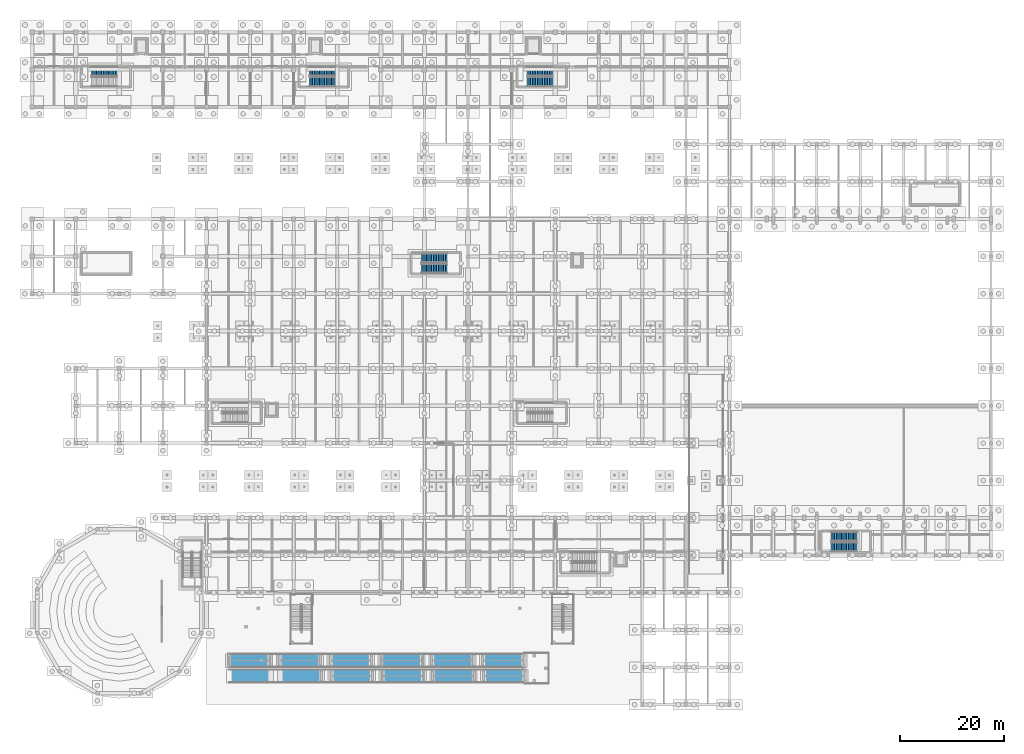
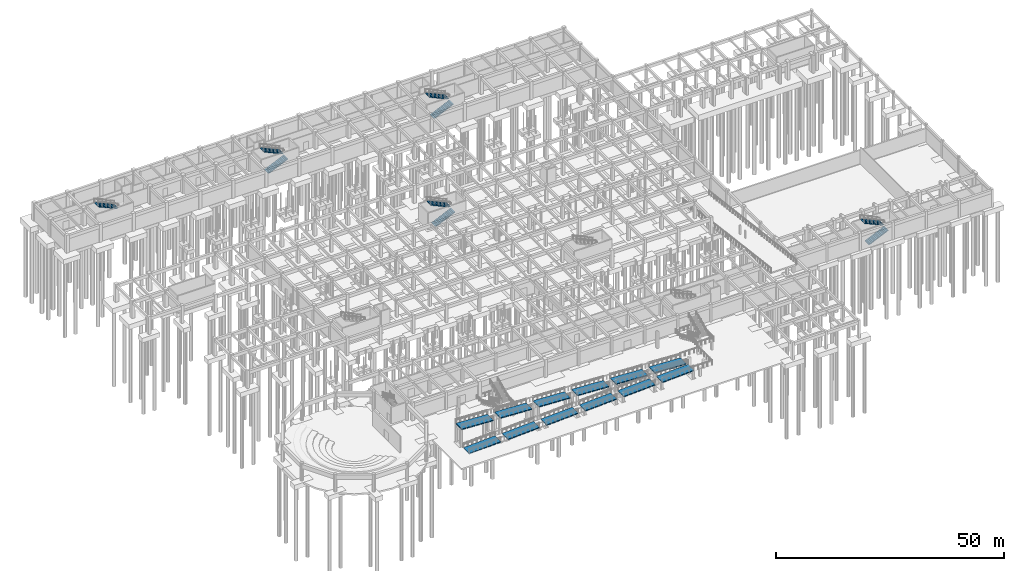
# One storey, part 66 of 80: 12 ramp flights, 9 stair flights, 7 elements without a shape of their own.
"""IFC4 building model written with IfcOpenShell, lengths in metres."""

from ifc_helpers import new_model, si_unit, direction, frame, origin, place, context, subcontext, project, spatial, polyline, outline, extrude, material, layer, layer_set, type_object, element, aggregate, save


model = new_model("IFC4")

# Units and contexts
model_context = context("Model", 3, precision=1e-05, world=origin(), true_north=direction((0.0, 1.0)))
body_context = subcontext(model_context, "Body", "Model", "MODEL_VIEW")
ifc_project = project(units=[si_unit("LENGTHUNIT", "METRE"), si_unit("AREAUNIT", "SQUARE_METRE"), si_unit("VOLUMEUNIT", "CUBIC_METRE"), si_unit("PLANEANGLEUNIT", "RADIAN"), si_unit("MASSUNIT", "GRAM", prefix="KILO")], contexts=[model_context])

# Site, building, storey
site_placement = place(None, origin())
site = spatial("IfcSite", under=ifc_project, at=site_placement, CompositionType="ELEMENT")
building_placement = place(site_placement, origin())
building = spatial("IfcBuilding", under=site, at=building_placement, Name="Malvenik Polytechnic", CompositionType="ELEMENT")
storey_placement = place(building_placement, frame((0.0, 0.0, -4.800048828125)))
storey = spatial("IfcBuildingStorey", under=building, at=storey_placement, Name="B1", CompositionType="ELEMENT", Elevation=-4.800048828125)

# Stair, stair flight
ifc_material = material(Name="Concrete C35/45", Category="concrete")
stair_type_1 = type_object("IfcStairType", Name="ARC-STR-ST-01", PredefinedType="HALF_TURN_STAIR", material=ifc_material)
stair_1_placement = place(storey_placement, origin())
stair_1 = element("IfcStair", 1, at=stair_1_placement, inside=storey, type_object=stair_type_1, Name="B1 Escape Stair ST-01", PredefinedType="HALF_TURN_STAIR")
ifc_layer_1 = layer(ifc_material, 0.159912109375)
ifc_layer_set_1 = layer_set([ifc_layer_1], Name="Concrete C35/45")
stair_flight_type_1 = type_object("IfcStairFlightType", Name="ARC-SFL-SFL-180A", PredefinedType="STRAIGHT", material=ifc_layer_set_1)
stair_flight_1_placement = place(storey_placement, frame((16.35009765625, 122.050048828125, 2.400146484375), z_axis=(0.0, 0.0, 1.0), x_axis=(-1.0, 0.0, 0.0)))
stair_flight_1 = element("IfcStairFlight", 2, at=stair_flight_1_placement, type_object=stair_flight_type_1, Name="ST-01 flight 2", NumberOfRisers=16, NumberOfTreads=15, PredefinedType="STRAIGHT", RiserHeight=0.15, TreadLength=0.33, context=body_context, shape_type="SweptSolid", body=[
    extrude(outline(polyline([(0.0, 0.0), (0.0, 0.14990234375), (0.330078125, 0.14990234375), (0.330078125, 0.300048828125), (0.659912109375, 0.300048828125), (0.659912109375, 0.449951171875), (0.989990234375, 0.449951171875), (0.989990234375, 0.60009765625), (1.320068359375, 0.60009765625), (1.320068359375, 0.75), (1.64990234375, 0.75), (1.64990234375, 0.89990234375), (1.97998046875, 0.89990234375), (1.97998046875, 1.050048828125), (2.31005859375, 1.050048828125), (2.31005859375, 1.199951171875), (2.639892578125, 1.199951171875), (2.639892578125, 1.35009765625), (2.969970703125, 1.35009765625), (2.969970703125, 1.5), (3.300048828125, 1.5), (3.300048828125, 1.64990234375), (3.6298828125, 1.64990234375), (3.6298828125, 1.800048828125), (3.9599609375, 1.800048828125), (3.9599609375, 1.949951171875), (4.2900390625, 1.949951171875), (4.2900390625, 2.10009765625), (4.6201171875, 2.10009765625), (4.6201171875, 2.25), (4.949951171875, 2.25), (4.949951171875, 2.39990234375), (4.949951171875, 2.074462890625), (0.386474609375, 0.0), (0.0, 0.0)])), frame((0.0, 0.89990234375, 0.0), z_axis=(0.0, -1.0, 0.0), x_axis=(1.0, 0.0, 0.0)), (0.0, 0.0, 1.0), 1.800048828125),
])
aggregate(stair_1, [stair_flight_1])

# Stair, stair flights
stair_type_2 = type_object("IfcStairType", Name="ARC-STR-ST-03", PredefinedType="HALF_TURN_STAIR", material=ifc_material)
stair_2_placement = place(storey_placement, origin())
stair_2 = element("IfcStair", 3, at=stair_2_placement, inside=storey, type_object=stair_type_2, Name="B1 Escape Stair ST-03", PredefinedType="HALF_TURN_STAIR")
stair_flight_2_placement = place(storey_placement, frame((95.39990234375, 120.050048828125, 0.0), z_axis=(0.0, 0.0, 1.0), x_axis=(1.0, 0.0, 0.0)))
stair_flight_2 = element("IfcStairFlight", 4, at=stair_flight_2_placement, type_object=stair_flight_type_1, Name="ST-03 flight 1", NumberOfRisers=16, NumberOfTreads=15, PredefinedType="STRAIGHT", RiserHeight=0.15, TreadLength=0.33, context=body_context, shape_type="SweptSolid", body=[
    extrude(outline(polyline([(0.0, 0.0), (0.0, 0.14990234375), (0.330078125, 0.14990234375), (0.330078125, 0.300048828125), (0.659912109375, 0.300048828125), (0.659912109375, 0.449951171875), (0.989990234375, 0.449951171875), (0.989990234375, 0.60009765625), (1.320068359375, 0.60009765625), (1.320068359375, 0.75), (1.64990234375, 0.75), (1.64990234375, 0.89990234375), (1.97998046875, 0.89990234375), (1.97998046875, 1.050048828125), (2.31005859375, 1.050048828125), (2.31005859375, 1.199951171875), (2.639892578125, 1.199951171875), (2.639892578125, 1.35009765625), (2.969970703125, 1.35009765625), (2.969970703125, 1.5), (3.300048828125, 1.5), (3.300048828125, 1.64990234375), (3.6298828125, 1.64990234375), (3.6298828125, 1.800048828125), (3.9599609375, 1.800048828125), (3.9599609375, 1.949951171875), (4.2900390625, 1.949951171875), (4.2900390625, 2.10009765625), (4.6201171875, 2.10009765625), (4.6201171875, 2.25), (4.949951171875, 2.25), (4.949951171875, 2.39990234375), (4.949951171875, 2.074462890625), (0.386474609375, 0.0), (0.0, 0.0)])), frame((0.0, 0.89990234375, 0.0), z_axis=(0.0, -1.0, 0.0), x_axis=(1.0, 0.0, 0.0)), (0.0, 0.0, 1.0), 1.800048828125),
])
stair_flight_3_placement = place(storey_placement, frame((100.35009765625, 122.050048828125, 2.400146484375), z_axis=(0.0, 0.0, 1.0), x_axis=(-1.0, 0.0, 0.0)))
stair_flight_3 = element("IfcStairFlight", 5, at=stair_flight_3_placement, type_object=stair_flight_type_1, Name="ST-03 flight 2", NumberOfRisers=16, NumberOfTreads=15, PredefinedType="STRAIGHT", RiserHeight=0.15, TreadLength=0.33, context=body_context, shape_type="SweptSolid", body=[
    extrude(outline(polyline([(0.0, 0.0), (0.0, 0.14990234375), (0.330078125, 0.14990234375), (0.330078125, 0.300048828125), (0.659912109375, 0.300048828125), (0.659912109375, 0.449951171875), (0.989990234375, 0.449951171875), (0.989990234375, 0.60009765625), (1.320068359375, 0.60009765625), (1.320068359375, 0.75), (1.64990234375, 0.75), (1.64990234375, 0.89990234375), (1.97998046875, 0.89990234375), (1.97998046875, 1.050048828125), (2.31005859375, 1.050048828125), (2.31005859375, 1.199951171875), (2.639892578125, 1.199951171875), (2.639892578125, 1.35009765625), (2.969970703125, 1.35009765625), (2.969970703125, 1.5), (3.300048828125, 1.5), (3.300048828125, 1.64990234375), (3.6298828125, 1.64990234375), (3.6298828125, 1.800048828125), (3.9599609375, 1.800048828125), (3.9599609375, 1.949951171875), (4.2900390625, 1.949951171875), (4.2900390625, 2.10009765625), (4.6201171875, 2.10009765625), (4.6201171875, 2.25), (4.949951171875, 2.25), (4.949951171875, 2.39990234375), (4.949951171875, 2.074462890625), (0.386474609375, 0.0), (0.0, 0.0)])), frame((0.0, 0.89990234375, 0.0), z_axis=(0.0, -1.0, 0.0), x_axis=(1.0, 0.0, 0.0)), (0.0, 0.0, 1.0), 1.800048828125),
])
aggregate(stair_2, [stair_flight_2, stair_flight_3])

stair_type_3 = type_object("IfcStairType", Name="ARC-STR-ST-05", PredefinedType="HALF_TURN_STAIR", material=ifc_material)
stair_3_placement = place(storey_placement, origin())
stair_3 = element("IfcStair", 6, at=stair_3_placement, inside=storey, type_object=stair_type_3, Name="B1 Escape Stair ST-05", PredefinedType="HALF_TURN_STAIR")
stair_flight_4_placement = place(storey_placement, frame((75.0, 84.050048828125, 0.0), z_axis=(0.0, 0.0, 1.0), x_axis=(1.0, 0.0, 0.0)))
stair_flight_4 = element("IfcStairFlight", 7, at=stair_flight_4_placement, type_object=stair_flight_type_1, Name="ST-05 flight 1", NumberOfRisers=16, NumberOfTreads=15, PredefinedType="STRAIGHT", RiserHeight=0.15, TreadLength=0.33, context=body_context, shape_type="SweptSolid", body=[
    extrude(outline(polyline([(0.0, 0.0), (0.0, 0.14990234375), (0.330078125, 0.14990234375), (0.330078125, 0.300048828125), (0.659912109375, 0.300048828125), (0.659912109375, 0.449951171875), (0.989990234375, 0.449951171875), (0.989990234375, 0.60009765625), (1.320068359375, 0.60009765625), (1.320068359375, 0.75), (1.64990234375, 0.75), (1.64990234375, 0.89990234375), (1.97998046875, 0.89990234375), (1.97998046875, 1.050048828125), (2.31005859375, 1.050048828125), (2.31005859375, 1.199951171875), (2.639892578125, 1.199951171875), (2.639892578125, 1.35009765625), (2.969970703125, 1.35009765625), (2.969970703125, 1.5), (3.300048828125, 1.5), (3.300048828125, 1.64990234375), (3.6298828125, 1.64990234375), (3.6298828125, 1.800048828125), (3.9599609375, 1.800048828125), (3.9599609375, 1.949951171875), (4.2900390625, 1.949951171875), (4.2900390625, 2.10009765625), (4.6201171875, 2.10009765625), (4.6201171875, 2.25), (4.949951171875, 2.25), (4.949951171875, 2.39990234375), (4.949951171875, 2.074462890625), (0.386474609375, 0.0), (0.0, 0.0)])), frame((0.0, 0.89990234375, 0.0), z_axis=(0.0, -1.0, 0.0), x_axis=(1.0, 0.0, 0.0)), (0.0, 0.0, 1.0), 1.800048828125),
])
stair_flight_5_placement = place(storey_placement, frame((79.949951171875, 86.050048828125, 2.400146484375), z_axis=(0.0, 0.0, 1.0), x_axis=(-1.0, 0.0, 0.0)))
stair_flight_5 = element("IfcStairFlight", 8, at=stair_flight_5_placement, type_object=stair_flight_type_1, Name="ST-05 flight 2", NumberOfRisers=16, NumberOfTreads=15, PredefinedType="STRAIGHT", RiserHeight=0.15, TreadLength=0.33, context=body_context, shape_type="SweptSolid", body=[
    extrude(outline(polyline([(0.0, 0.0), (0.0, 0.14990234375), (0.330078125, 0.14990234375), (0.330078125, 0.300048828125), (0.659912109375, 0.300048828125), (0.659912109375, 0.449951171875), (0.989990234375, 0.449951171875), (0.989990234375, 0.60009765625), (1.320068359375, 0.60009765625), (1.320068359375, 0.75), (1.64990234375, 0.75), (1.64990234375, 0.89990234375), (1.97998046875, 0.89990234375), (1.97998046875, 1.050048828125), (2.31005859375, 1.050048828125), (2.31005859375, 1.199951171875), (2.639892578125, 1.199951171875), (2.639892578125, 1.35009765625), (2.969970703125, 1.35009765625), (2.969970703125, 1.5), (3.300048828125, 1.5), (3.300048828125, 1.64990234375), (3.6298828125, 1.64990234375), (3.6298828125, 1.800048828125), (3.9599609375, 1.800048828125), (3.9599609375, 1.949951171875), (4.2900390625, 1.949951171875), (4.2900390625, 2.10009765625), (4.6201171875, 2.10009765625), (4.6201171875, 2.25), (4.949951171875, 2.25), (4.949951171875, 2.39990234375), (4.949951171875, 2.074462890625), (0.386474609375, 0.0), (0.0, 0.0)])), frame((0.0, 0.89990234375, 0.0), z_axis=(0.0, -1.0, 0.0), x_axis=(1.0, 0.0, 0.0)), (0.0, 0.0, 1.0), 1.800048828125),
])
aggregate(stair_3, [stair_flight_4, stair_flight_5])

stair_type_4 = type_object("IfcStairType", Name="ARC-STR-ST-13", PredefinedType="HALF_TURN_STAIR", material=ifc_material)
stair_4_placement = place(storey_placement, origin())
stair_4 = element("IfcStair", 9, at=stair_4_placement, inside=storey, type_object=stair_type_4, Name="B1 Escape Stair ST-13", PredefinedType="HALF_TURN_STAIR")
stair_flight_6_placement = place(storey_placement, frame((154.0, 30.39990234375, 0.0), z_axis=(0.0, 0.0, 1.0), x_axis=(1.0, 0.0, 0.0)))
stair_flight_6 = element("IfcStairFlight", 10, at=stair_flight_6_placement, type_object=stair_flight_type_1, Name="ST-13 flight 1", NumberOfRisers=16, NumberOfTreads=15, PredefinedType="STRAIGHT", RiserHeight=0.15, TreadLength=0.33, context=body_context, shape_type="SweptSolid", body=[
    extrude(outline(polyline([(0.0, 0.0), (0.0, 0.14990234375), (0.330078125, 0.14990234375), (0.330078125, 0.300048828125), (0.659912109375, 0.300048828125), (0.659912109375, 0.449951171875), (0.989990234375, 0.449951171875), (0.989990234375, 0.60009765625), (1.320068359375, 0.60009765625), (1.320068359375, 0.75), (1.64990234375, 0.75), (1.64990234375, 0.89990234375), (1.97998046875, 0.89990234375), (1.97998046875, 1.050048828125), (2.31005859375, 1.050048828125), (2.31005859375, 1.199951171875), (2.639892578125, 1.199951171875), (2.639892578125, 1.35009765625), (2.969970703125, 1.35009765625), (2.969970703125, 1.5), (3.300048828125, 1.5), (3.300048828125, 1.64990234375), (3.6298828125, 1.64990234375), (3.6298828125, 1.800048828125), (3.9599609375, 1.800048828125), (3.9599609375, 1.949951171875), (4.2900390625, 1.949951171875), (4.2900390625, 2.10009765625), (4.6201171875, 2.10009765625), (4.6201171875, 2.25), (4.949951171875, 2.25), (4.949951171875, 2.39990234375), (4.949951171875, 2.074462890625), (0.386474609375, 0.0), (0.0, 0.0)])), frame((0.0, 0.89990234375, 0.0), z_axis=(0.0, -1.0, 0.0), x_axis=(1.0, 0.0, 0.0)), (0.0, 0.0, 1.0), 1.800048828125),
])
stair_flight_7_placement = place(storey_placement, frame((158.949951171875, 32.39990234375, 2.400146484375), z_axis=(0.0, 0.0, 1.0), x_axis=(-1.0, 0.0, 0.0)))
stair_flight_7 = element("IfcStairFlight", 11, at=stair_flight_7_placement, type_object=stair_flight_type_1, Name="ST-13 flight 2", NumberOfRisers=16, NumberOfTreads=15, PredefinedType="STRAIGHT", RiserHeight=0.15, TreadLength=0.33, context=body_context, shape_type="SweptSolid", body=[
    extrude(outline(polyline([(0.0, 0.0), (0.0, 0.14990234375), (0.330078125, 0.14990234375), (0.330078125, 0.300048828125), (0.659912109375, 0.300048828125), (0.659912109375, 0.449951171875), (0.989990234375, 0.449951171875), (0.989990234375, 0.60009765625), (1.320068359375, 0.60009765625), (1.320068359375, 0.75), (1.64990234375, 0.75), (1.64990234375, 0.89990234375), (1.97998046875, 0.89990234375), (1.97998046875, 1.050048828125), (2.31005859375, 1.050048828125), (2.31005859375, 1.199951171875), (2.639892578125, 1.199951171875), (2.639892578125, 1.35009765625), (2.969970703125, 1.35009765625), (2.969970703125, 1.5), (3.300048828125, 1.5), (3.300048828125, 1.64990234375), (3.6298828125, 1.64990234375), (3.6298828125, 1.800048828125), (3.9599609375, 1.800048828125), (3.9599609375, 1.949951171875), (4.2900390625, 1.949951171875), (4.2900390625, 2.10009765625), (4.6201171875, 2.10009765625), (4.6201171875, 2.25), (4.949951171875, 2.25), (4.949951171875, 2.39990234375), (4.949951171875, 2.074462890625), (0.386474609375, 0.0), (0.0, 0.0)])), frame((0.0, 0.89990234375, 0.0), z_axis=(0.0, -1.0, 0.0), x_axis=(1.0, 0.0, 0.0)), (0.0, 0.0, 1.0), 1.800048828125),
])
aggregate(stair_4, [stair_flight_6, stair_flight_7])

stair_type_5 = type_object("IfcStairType", Name="ARC-STR-ST-02", PredefinedType="HALF_TURN_STAIR", material=ifc_material)
stair_5_placement = place(storey_placement, origin())
stair_5 = element("IfcStair", 12, at=stair_5_placement, inside=storey, type_object=stair_type_5, Name="B1 Escape Stair ST-02", PredefinedType="HALF_TURN_STAIR")
ifc_layer_2 = layer(ifc_material, 0.179931640625)
ifc_layer_set_2 = layer_set([ifc_layer_2], Name="Concrete C35/45")
stair_flight_type_2 = type_object("IfcStairFlightType", Name="ARC-SFL-SFL-180B", PredefinedType="STRAIGHT", material=ifc_layer_set_2)
stair_flight_8_placement = place(storey_placement, frame((53.39990234375, 120.050048828125, 0.0), z_axis=(0.0, 0.0, 1.0), x_axis=(1.0, 0.0, 0.0)))
stair_flight_8 = element("IfcStairFlight", 13, at=stair_flight_8_placement, type_object=stair_flight_type_2, Name="ST-02 flight 1", NumberOfRisers=16, NumberOfTreads=15, PredefinedType="STRAIGHT", RiserHeight=0.15, TreadLength=0.33, context=body_context, shape_type="SweptSolid", body=[
    extrude(outline(polyline([(0.0, 0.0), (0.0, 0.14990234375), (0.330078125, 0.14990234375), (0.330078125, 0.300048828125), (0.659912109375, 0.300048828125), (0.659912109375, 0.449951171875), (0.989990234375, 0.449951171875), (0.989990234375, 0.60009765625), (1.320068359375, 0.60009765625), (1.320068359375, 0.75), (1.64990234375, 0.75), (1.64990234375, 0.89990234375), (1.97998046875, 0.89990234375), (1.97998046875, 1.050048828125), (2.31005859375, 1.050048828125), (2.31005859375, 1.199951171875), (2.639892578125, 1.199951171875), (2.639892578125, 1.35009765625), (2.969970703125, 1.35009765625), (2.969970703125, 1.5), (3.300048828125, 1.5), (3.300048828125, 1.64990234375), (3.6298828125, 1.64990234375), (3.6298828125, 1.800048828125), (3.9599609375, 1.800048828125), (3.9599609375, 1.949951171875), (4.2900390625, 1.949951171875), (4.2900390625, 2.10009765625), (4.6201171875, 2.10009765625), (4.6201171875, 2.25), (4.949951171875, 2.25), (4.949951171875, 2.39990234375), (4.949951171875, 2.074462890625), (0.386474609375, 0.0), (0.0, 0.0)])), frame((0.0, 0.89990234375, 0.0), z_axis=(0.0, -1.0, 0.0), x_axis=(1.0, 0.0, 0.0)), (0.0, 0.0, 1.0), 1.800048828125),
])
stair_flight_9_placement = place(storey_placement, frame((58.35009765625, 122.050048828125, 2.400146484375), z_axis=(0.0, 0.0, 1.0), x_axis=(-1.0, 0.0, 0.0)))
stair_flight_9 = element("IfcStairFlight", 14, at=stair_flight_9_placement, type_object=stair_flight_type_2, Name="ST-02 flight 2", NumberOfRisers=16, NumberOfTreads=15, PredefinedType="STRAIGHT", RiserHeight=0.15, TreadLength=0.33, context=body_context, shape_type="SweptSolid", body=[
    extrude(outline(polyline([(0.0, 0.0), (0.0, 0.14990234375), (0.330078125, 0.14990234375), (0.330078125, 0.300048828125), (0.659912109375, 0.300048828125), (0.659912109375, 0.449951171875), (0.989990234375, 0.449951171875), (0.989990234375, 0.60009765625), (1.320068359375, 0.60009765625), (1.320068359375, 0.75), (1.64990234375, 0.75), (1.64990234375, 0.89990234375), (1.97998046875, 0.89990234375), (1.97998046875, 1.050048828125), (2.31005859375, 1.050048828125), (2.31005859375, 1.199951171875), (2.639892578125, 1.199951171875), (2.639892578125, 1.35009765625), (2.969970703125, 1.35009765625), (2.969970703125, 1.5), (3.300048828125, 1.5), (3.300048828125, 1.64990234375), (3.6298828125, 1.64990234375), (3.6298828125, 1.800048828125), (3.9599609375, 1.800048828125), (3.9599609375, 1.949951171875), (4.2900390625, 1.949951171875), (4.2900390625, 2.10009765625), (4.6201171875, 2.10009765625), (4.6201171875, 2.25), (4.949951171875, 2.25), (4.949951171875, 2.39990234375), (4.949951171875, 2.074462890625), (0.386474609375, 0.0), (0.0, 0.0)])), frame((0.0, 0.89990234375, 0.0), z_axis=(0.0, -1.0, 0.0), x_axis=(1.0, 0.0, 0.0)), (0.0, 0.0, 1.0), 1.800048828125),
])
aggregate(stair_5, [stair_flight_8, stair_flight_9])

# Ramp, ramp flights
ramp_type = type_object("IfcRampType", Name="ARC-RMP-PED", PredefinedType="STRAIGHT_RUN_RAMP", material=ifc_material)
ramp_1_placement = place(storey_placement, origin())
ramp_1 = element("IfcRamp", 15, at=ramp_1_placement, inside=storey, type_object=ramp_type, Name="Accessible Pedestrian Ramp RB-04", PredefinedType="STRAIGHT_RUN_RAMP")
ifc_layer_3 = layer(ifc_material, 0.25)
ifc_layer_set_3 = layer_set([ifc_layer_3], Name="Concrete C35/45")
ramp_flight_type = type_object("IfcRampFlightType", Name="ARC-RFL-PED", PredefinedType="STRAIGHT", material=ifc_layer_set_3)
ramp_flight_1_placement = place(storey_placement, frame((38.0, 5.5, 0.0), z_axis=(0.0, 0.0, 1.0), x_axis=(1.0, 0.0, 0.0)))
ramp_flight_1 = element("IfcRampFlight", 16, at=ramp_flight_1_placement, type_object=ramp_flight_type, Name="Ramp Flight RB-04 #1", PredefinedType="STRAIGHT", context=body_context, shape_type="SweptSolid", body=[
    extrude(outline(polyline([(0.0, -0.25), (8.0, 0.150146484375), (8.0, 0.400146484375), (0.0, 0.0), (0.0, -0.25)])), frame((0.0, 1.300048828125, 0.0), z_axis=(0.0, -1.0, 0.0), x_axis=(1.0, 0.0, 0.0)), (0.0, 0.0, 1.0), 2.60009765625),
])
ramp_flight_2_placement = place(storey_placement, frame((47.800048828125, 5.5, 0.400146484375), z_axis=(0.0, 0.0, 1.0), x_axis=(1.0, 0.0, 0.0)))
ramp_flight_2 = element("IfcRampFlight", 17, at=ramp_flight_2_placement, type_object=ramp_flight_type, Name="Ramp Flight RB-04 #2", PredefinedType="STRAIGHT", context=body_context, shape_type="SweptSolid", body=[
    extrude(outline(polyline([(0.0, -0.25), (8.0, 0.14990234375), (8.0, 0.39990234375), (0.0, 0.0), (0.0, -0.25)])), frame((0.0, 1.300048828125, 0.0), z_axis=(0.0, -1.0, 0.0), x_axis=(1.0, 0.0, 0.0)), (0.0, 0.0, 1.0), 2.60009765625),
])
ramp_flight_3_placement = place(storey_placement, frame((57.60009765625, 5.5, 0.800048828125), z_axis=(0.0, 0.0, 1.0), x_axis=(1.0, 0.0, 0.0)))
ramp_flight_3 = element("IfcRampFlight", 18, at=ramp_flight_3_placement, type_object=ramp_flight_type, Name="Ramp Flight RB-04 #3", PredefinedType="STRAIGHT", context=body_context, shape_type="SweptSolid", body=[
    extrude(outline(polyline([(0.0, -0.25), (8.0, 0.14990234375), (8.0, 0.39990234375), (0.0, 0.0), (0.0, -0.25)])), frame((0.0, 1.300048828125, 0.0), z_axis=(0.0, -1.0, 0.0), x_axis=(1.0, 0.0, 0.0)), (0.0, 0.0, 1.0), 2.60009765625),
])
ramp_flight_4_placement = place(storey_placement, frame((67.39990234375, 5.5, 1.199951171875), z_axis=(0.0, 0.0, 1.0), x_axis=(1.0, 0.0, 0.0)))
ramp_flight_4 = element("IfcRampFlight", 19, at=ramp_flight_4_placement, type_object=ramp_flight_type, Name="Ramp Flight RB-04 #4", PredefinedType="STRAIGHT", context=body_context, shape_type="SweptSolid", body=[
    extrude(outline(polyline([(0.0, -0.25), (8.0, 0.150146484375), (8.0, 0.400146484375), (0.0, 0.0), (0.0, -0.25)])), frame((0.0, 1.300048828125, 0.0), z_axis=(0.0, -1.0, 0.0), x_axis=(1.0, 0.0, 0.0)), (0.0, 0.0, 1.0), 2.60009765625),
])
ramp_flight_5_placement = place(storey_placement, frame((77.199951171875, 5.5, 1.60009765625), z_axis=(0.0, 0.0, 1.0), x_axis=(1.0, 0.0, 0.0)))
ramp_flight_5 = element("IfcRampFlight", 20, at=ramp_flight_5_placement, type_object=ramp_flight_type, Name="Ramp Flight RB-04 #5", PredefinedType="STRAIGHT", context=body_context, shape_type="SweptSolid", body=[
    extrude(outline(polyline([(0.0, -0.25), (8.0, 0.14990234375), (8.0, 0.39990234375), (0.0, 0.0), (0.0, -0.25)])), frame((0.0, 1.300048828125, 0.0), z_axis=(0.0, -1.0, 0.0), x_axis=(1.0, 0.0, 0.0)), (0.0, 0.0, 1.0), 2.60009765625),
])
ramp_flight_6_placement = place(storey_placement, frame((87.0, 5.5, 2.0), z_axis=(0.0, 0.0, 1.0), x_axis=(1.0, 0.0, 0.0)))
ramp_flight_6 = element("IfcRampFlight", 21, at=ramp_flight_6_placement, type_object=ramp_flight_type, Name="Ramp Flight RB-04 #6", PredefinedType="STRAIGHT", context=body_context, shape_type="SweptSolid", body=[
    extrude(outline(polyline([(0.0, -0.25), (8.0, 0.150146484375), (8.0, 0.400146484375), (0.0, 0.0), (0.0, -0.25)])), frame((0.0, 1.300048828125, 0.0), z_axis=(0.0, -1.0, 0.0), x_axis=(1.0, 0.0, 0.0)), (0.0, 0.0, 1.0), 2.60009765625),
])
aggregate(ramp_1, [ramp_flight_1, ramp_flight_2, ramp_flight_3, ramp_flight_4, ramp_flight_5, ramp_flight_6])

ramp_2_placement = place(storey_placement, origin())
ramp_2 = element("IfcRamp", 22, at=ramp_2_placement, inside=storey, type_object=ramp_type, Name="Accessible Pedestrian Ramp RB-05", PredefinedType="STRAIGHT_RUN_RAMP")
ramp_flight_7_placement = place(storey_placement, frame((94.800048828125, 8.5, 2.400146484375), z_axis=(0.0, 0.0, 1.0), x_axis=(-1.0, 0.0, 0.0)))
ramp_flight_7 = element("IfcRampFlight", 23, at=ramp_flight_7_placement, type_object=ramp_flight_type, Name="Ramp Flight RB-05 #1", PredefinedType="STRAIGHT", context=body_context, shape_type="SweptSolid", body=[
    extrude(outline(polyline([(0.0, -0.25), (8.0, 0.14990234375), (8.0, 0.39990234375), (0.0, 0.0), (0.0, -0.25)])), frame((0.0, 1.300048828125, 0.0), z_axis=(0.0, -1.0, 0.0), x_axis=(1.0, 0.0, 0.0)), (0.0, 0.0, 1.0), 2.60009765625),
])
ramp_flight_8_placement = place(storey_placement, frame((85.0, 8.5, 2.800048828125), z_axis=(0.0, 0.0, 1.0), x_axis=(-1.0, 0.0, 0.0)))
ramp_flight_8 = element("IfcRampFlight", 24, at=ramp_flight_8_placement, type_object=ramp_flight_type, Name="Ramp Flight RB-05 #2", PredefinedType="STRAIGHT", context=body_context, shape_type="SweptSolid", body=[
    extrude(outline(polyline([(0.0, -0.25), (8.0, 0.14990234375), (8.0, 0.39990234375), (0.0, 0.0), (0.0, -0.25)])), frame((0.0, 1.300048828125, 0.0), z_axis=(0.0, -1.0, 0.0), x_axis=(1.0, 0.0, 0.0)), (0.0, 0.0, 1.0), 2.60009765625),
])
ramp_flight_9_placement = place(storey_placement, frame((75.199951171875, 8.5, 3.199951171875), z_axis=(0.0, 0.0, 1.0), x_axis=(-1.0, 0.0, 0.0)))
ramp_flight_9 = element("IfcRampFlight", 25, at=ramp_flight_9_placement, type_object=ramp_flight_type, Name="Ramp Flight RB-05 #3", PredefinedType="STRAIGHT", context=body_context, shape_type="SweptSolid", body=[
    extrude(outline(polyline([(0.0, -0.25), (8.0, 0.150146484375), (8.0, 0.400146484375), (0.0, 0.0), (0.0, -0.25)])), frame((0.0, 1.300048828125, 0.0), z_axis=(0.0, -1.0, 0.0), x_axis=(1.0, 0.0, 0.0)), (0.0, 0.0, 1.0), 2.60009765625),
])
ramp_flight_10_placement = place(storey_placement, frame((65.39990234375, 8.5, 3.60009765625), z_axis=(0.0, 0.0, 1.0), x_axis=(-1.0, 0.0, 0.0)))
ramp_flight_10 = element("IfcRampFlight", 26, at=ramp_flight_10_placement, type_object=ramp_flight_type, Name="Ramp Flight RB-05 #4", PredefinedType="STRAIGHT", context=body_context, shape_type="SweptSolid", body=[
    extrude(outline(polyline([(0.0, -0.25), (8.0, 0.14990234375), (8.0, 0.39990234375), (0.0, 0.0), (0.0, -0.25)])), frame((0.0, 1.300048828125, 0.0), z_axis=(0.0, -1.0, 0.0), x_axis=(1.0, 0.0, 0.0)), (0.0, 0.0, 1.0), 2.60009765625),
])
ramp_flight_11_placement = place(storey_placement, frame((55.60009765625, 8.5, 4.0), z_axis=(0.0, 0.0, 1.0), x_axis=(-1.0, 0.0, 0.0)))
ramp_flight_11 = element("IfcRampFlight", 27, at=ramp_flight_11_placement, type_object=ramp_flight_type, Name="Ramp Flight RB-05 #5", PredefinedType="STRAIGHT", context=body_context, shape_type="SweptSolid", body=[
    extrude(outline(polyline([(0.0, -0.25), (8.0, 0.150146484375), (8.0, 0.400146484375), (0.0, 0.0), (0.0, -0.25)])), frame((0.0, 1.300048828125, 0.0), z_axis=(0.0, -1.0, 0.0), x_axis=(1.0, 0.0, 0.0)), (0.0, 0.0, 1.0), 2.60009765625),
])
ramp_flight_12_placement = place(storey_placement, frame((45.800048828125, 8.5, 4.400146484375), z_axis=(0.0, 0.0, 1.0), x_axis=(-1.0, 0.0, 0.0)))
ramp_flight_12 = element("IfcRampFlight", 28, at=ramp_flight_12_placement, type_object=ramp_flight_type, Name="Ramp Flight RB-05 #6", PredefinedType="STRAIGHT", context=body_context, shape_type="SweptSolid", body=[
    extrude(outline(polyline([(0.0, -0.25), (8.0, 0.14990234375), (8.0, 0.39990234375), (0.0, 0.0), (0.0, -0.25)])), frame((0.0, 1.300048828125, 0.0), z_axis=(0.0, -1.0, 0.0), x_axis=(1.0, 0.0, 0.0)), (0.0, 0.0, 1.0), 2.60009765625),
])
aggregate(ramp_2, [ramp_flight_7, ramp_flight_8, ramp_flight_9, ramp_flight_10, ramp_flight_11, ramp_flight_12])

save(model, "model.ifc")
